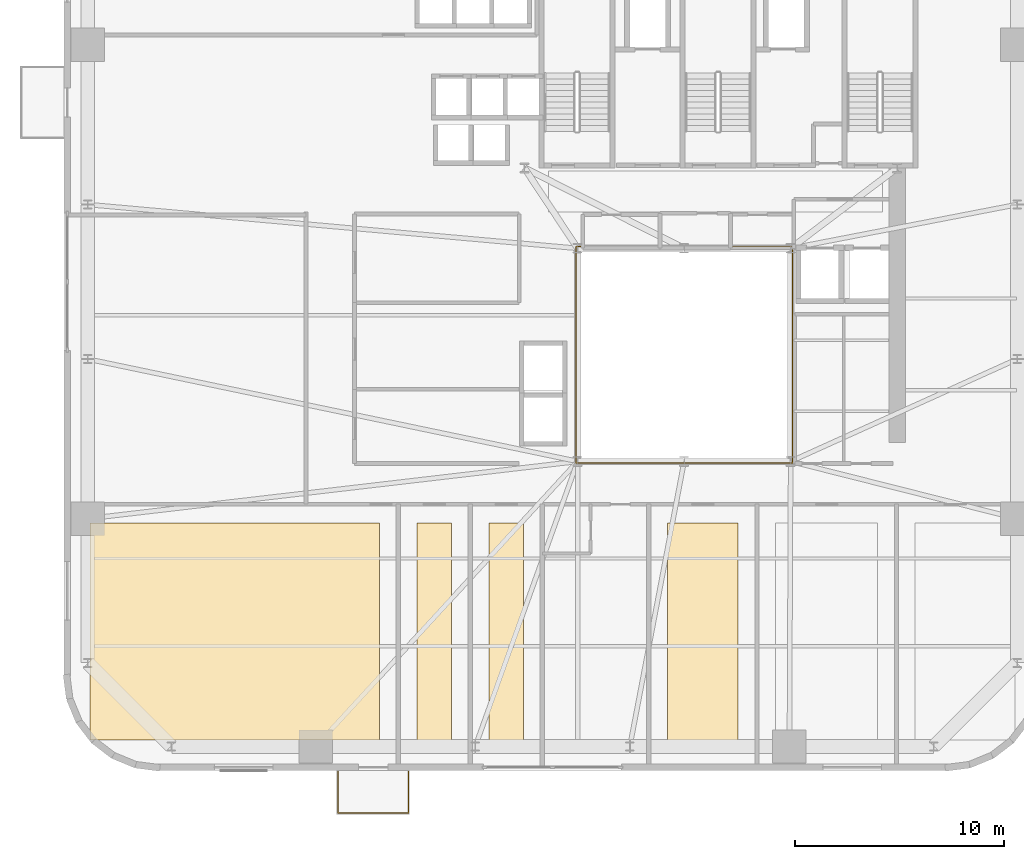
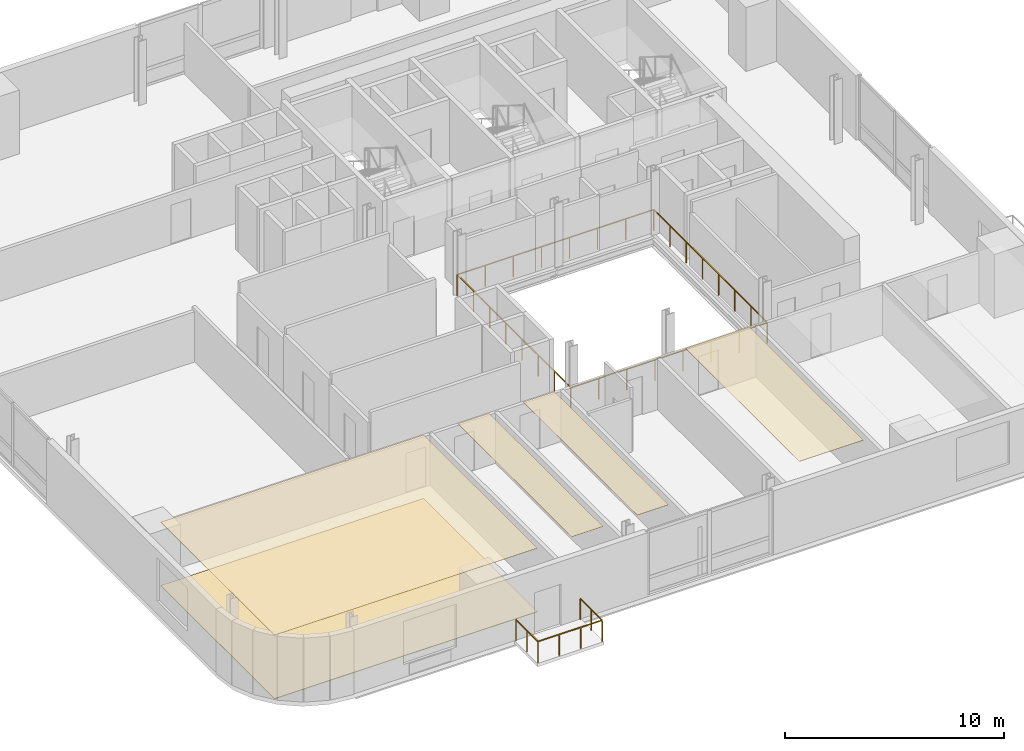
# One storey, part 10 of 14: 5 coverings, 2 railings.
"""IFC4 building model written with IfcOpenShell, lengths in metres."""

from ifc_helpers import new_model, si_unit, direction, frame, origin, origin_2d, place, context, subcontext, project, spatial, polyline, rectangle, outline, extrude, source, transform, mapped, material, layer, layer_set, type_object, element, save


model = new_model("IFC4")

# Units and contexts
model_context = context("Model", 3, precision=1e-05, world=origin(), true_north=direction((0.0, 1.0)))
body_context = subcontext(model_context, "Body", "Model", "MODEL_VIEW")
ifc_project = project(units=[si_unit("LENGTHUNIT", "METRE"), si_unit("AREAUNIT", "SQUARE_METRE"), si_unit("VOLUMEUNIT", "CUBIC_METRE"), si_unit("PLANEANGLEUNIT", "RADIAN"), si_unit("MASSUNIT", "GRAM", prefix="KILO")], contexts=[model_context])

# Site, building, storey
site_placement = place(None, origin())
site = spatial("IfcSite", under=ifc_project, at=site_placement, CompositionType="ELEMENT")
building_placement = place(site_placement, origin())
building = spatial("IfcBuilding", under=site, at=building_placement, Name="Vardaveli Station Tower", CompositionType="ELEMENT")
storey_placement = place(building_placement, frame((0.0, 0.0, 103.699951171875)))
storey = spatial("IfcBuildingStorey", under=building, at=storey_placement, Name="L26", CompositionType="ELEMENT", Elevation=103.699951171875)

# Coverings
ifc_material_1 = material(Name="Perforated acoustic mineral ceiling")
ifc_layer_1 = layer(ifc_material_1, 0.02001953125, Name="Perforated acoustic mineral ceiling")
ifc_layer_set_1 = layer_set([ifc_layer_1], Name="Perforated acoustic mineral ceiling")
covering_type_1 = type_object("IfcCoveringType", Name="COV-CEIL-AC20", PredefinedType="CEILING", material=ifc_layer_set_1)
covering_1_placement = place(storey_placement, frame((0.0, 0.0, 3.545166015625)))
element("IfcCovering", 1, at=covering_1_placement, inside=storey, type_object=covering_type_1, Name="CEIL-L26-1", PredefinedType="CEILING", context=body_context, shape_type="SweptSolid", body=[
    extrude(outline(polyline([(7.85009765625, 3.25), (21.71044921875, 3.25), (21.71044921875, 13.64990234375), (7.85009765625, 13.64990234375), (7.85009765625, 3.25)])), origin(), (0.0, 0.0, 1.0), 0.019775390625),
])
covering_2_placement = place(storey_placement, frame((0.0, 0.0, 3.545166015625)))
element("IfcCovering", 2, at=covering_2_placement, inside=storey, type_object=covering_type_1, Name="CEIL-L26-2", PredefinedType="CEILING", context=body_context, shape_type="SweptSolid", body=[
    extrude(outline(polyline([(23.510498046875, 3.25), (25.160400390625, 3.25), (25.160400390625, 13.64990234375), (23.510498046875, 13.64990234375), (23.510498046875, 3.25)])), origin(), (0.0, 0.0, 1.0), 0.019775390625),
])
covering_3_placement = place(storey_placement, frame((0.0, 0.0, 3.545166015625)))
element("IfcCovering", 3, at=covering_3_placement, inside=storey, type_object=covering_type_1, Name="CEIL-L26-3", PredefinedType="CEILING", context=body_context, shape_type="SweptSolid", body=[
    extrude(outline(polyline([(26.96044921875, 3.25), (28.6103515625, 3.25), (28.6103515625, 13.64990234375), (26.96044921875, 13.64990234375), (26.96044921875, 3.25)])), origin(), (0.0, 0.0, 1.0), 0.019775390625),
])
covering_4_placement = place(storey_placement, frame((0.0, 0.0, 3.545166015625)))
element("IfcCovering", 4, at=covering_4_placement, inside=storey, type_object=covering_type_1, Name="CEIL-L26-4", PredefinedType="CEILING", context=body_context, shape_type="SweptSolid", body=[
    extrude(outline(polyline([(35.506591796875, 3.25), (38.885498046875, 3.25), (38.885498046875, 13.64990234375), (35.506591796875, 13.64990234375), (35.506591796875, 3.25)])), origin(), (0.0, 0.0, 1.0), 0.019775390625),
])
ifc_material_2 = material(Name="Honed Caucasian basalt and travertine flooring", Category="masonry")
ifc_layer_2 = layer(ifc_material_2, 0.030029296875, Name="Honed Caucasian basalt and travertine flooring")
ifc_layer_set_2 = layer_set([ifc_layer_2], Name="Honed Caucasian basalt and travertine flooring")
covering_type_2 = type_object("IfcCoveringType", Name="COV-FLOOR-ST30", PredefinedType="FLOORING", material=ifc_layer_set_2)
covering_5_placement = place(storey_placement, origin())
element("IfcCovering", 5, at=covering_5_placement, inside=storey, type_object=covering_type_2, Name="FLR-L26-1", PredefinedType="FLOORING", context=body_context, shape_type="SweptSolid", body=[
    extrude(outline(polyline([(7.85009765625, 3.25), (21.71044921875, 3.25), (21.71044921875, 13.64990234375), (7.85009765625, 13.64990234375), (7.85009765625, 3.25)])), origin(), (0.0, 0.0, 1.0), 0.030029296875),
])

# Railings
ifc_material_3 = material(Name="Laminated glass and stainless steel balustrade", Category="steel")
railing_type = type_object("IfcRailingType", Name="RL-BAL-1200", PredefinedType="BALUSTRADE", material=ifc_material_3)
shared_shape_1 = source(origin(), body_context, "Body", "SweptSolid", [
    extrude(rectangle(XDim=0.048095703125, YDim=0.048095703125, at=origin_2d()), frame((0.0, 0.0, 1.17578125), z_axis=(0.0, -1.0, 0.0), x_axis=(1.0, 0.0, 0.0)), (0.0, 0.0, 1.0), 2.0),
    extrude(rectangle(XDim=0.048095703125, YDim=0.048095703125, at=origin_2d()), frame((0.0, -2.0, 1.17578125), z_axis=(1.0, 0.0, 0.0), x_axis=(0.0, 1.0, 0.0)), (0.0, 0.0, 1.0), 3.3798828125),
    extrude(rectangle(XDim=0.048095703125, YDim=0.048095703125, at=origin_2d()), frame((3.3798828125, -2.0, 1.17578125), z_axis=(0.0, 1.0, 0.0), x_axis=(-1.0, 0.0, 0.0)), (0.0, 0.0, 1.0), 2.0),
    extrude(rectangle(XDim=0.0419921875, YDim=0.0419921875, at=origin_2d()), origin(), (0.0, 0.0, 1.0), 1.15185546875),
    extrude(rectangle(XDim=0.0419921875, YDim=0.0419921875, at=origin_2d()), frame((0.0, -1.0, 0.0)), (0.0, 0.0, 1.0), 1.15185546875),
    extrude(rectangle(XDim=0.0419921875, YDim=0.0419921875, at=origin_2d()), frame((0.0, -2.0, 0.0)), (0.0, 0.0, 1.0), 1.15185546875),
    extrude(rectangle(XDim=0.0419921875, YDim=0.0419921875, at=origin_2d()), frame((1.126708984375, -2.0, 0.0)), (0.0, 0.0, 1.0), 1.15185546875),
    extrude(rectangle(XDim=0.0419921875, YDim=0.0419921875, at=origin_2d()), frame((2.253173828125, -2.0, 0.0)), (0.0, 0.0, 1.0), 1.15185546875),
    extrude(rectangle(XDim=0.0419921875, YDim=0.0419921875, at=origin_2d()), frame((3.3798828125, -2.0, 0.0)), (0.0, 0.0, 1.0), 1.15185546875),
    extrude(rectangle(XDim=0.0419921875, YDim=0.0419921875, at=origin_2d()), frame((3.3798828125, -1.0, 0.0)), (0.0, 0.0, 1.0), 1.15185546875),
    extrude(rectangle(XDim=0.0419921875, YDim=0.0419921875, at=origin_2d()), frame((3.3798828125, 0.0, 0.0)), (0.0, 0.0, 1.0), 1.15185546875),
])
railing_1_placement = place(storey_placement, frame((19.720458984375, 1.760009765625, 0.0)))
element("IfcRailing", 6, at=railing_1_placement, inside=storey, type_object=railing_type, Name="RL-LOG-L26-01", PredefinedType="BALUSTRADE", context=body_context, shape_type="MappedRepresentation", body=[
    mapped(shared_shape_1, transform((0.0, 0.0, 0.0), scale=1.0)),
])
shared_shape_2 = source(origin(), body_context, "Body", "SweptSolid", [
    extrude(rectangle(XDim=0.048095703125, YDim=0.048095703125, at=origin_2d()), frame((0.0, 0.0, 1.17578125), z_axis=(1.0, 0.0, 0.0), x_axis=(0.0, 1.0, 0.0)), (0.0, 0.0, 1.0), 10.35986328125),
    extrude(rectangle(XDim=0.048095703125, YDim=0.048095703125, at=origin_2d()), frame((10.35986328125, 0.0, 1.17578125), z_axis=(0.0, 1.0, 0.0), x_axis=(-1.0, 0.0, 0.0)), (0.0, 0.0, 1.0), 10.35986328125),
    extrude(rectangle(XDim=0.048095703125, YDim=0.048095703125, at=origin_2d()), frame((10.35986328125, 10.35986328125, 1.17578125), z_axis=(-1.0, 0.0, 0.0), x_axis=(0.0, -1.0, 0.0)), (0.0, 0.0, 1.0), 10.35986328125),
    extrude(rectangle(XDim=0.048095703125, YDim=0.048095703125, at=origin_2d()), frame((0.0, 10.35986328125, 1.17578125), z_axis=(0.0, -1.0, 0.0), x_axis=(1.0, 0.0, 0.0)), (0.0, 0.0, 1.0), 10.35986328125),
    extrude(rectangle(XDim=0.0419921875, YDim=0.0419921875, at=origin_2d()), origin(), (0.0, 0.0, 1.0), 1.15185546875),
    extrude(rectangle(XDim=0.0419921875, YDim=0.0419921875, at=origin_2d()), frame((1.47998046875, 0.0, 0.0)), (0.0, 0.0, 1.0), 1.15185546875),
    extrude(rectangle(XDim=0.0419921875, YDim=0.0419921875, at=origin_2d()), frame((2.9599609375, 0.0, 0.0)), (0.0, 0.0, 1.0), 1.15185546875),
    extrude(rectangle(XDim=0.0419921875, YDim=0.0419921875, at=origin_2d()), frame((4.43994140625, 0.0, 0.0)), (0.0, 0.0, 1.0), 1.15185546875),
    extrude(rectangle(XDim=0.0419921875, YDim=0.0419921875, at=origin_2d()), frame((5.919921875, 0.0, 0.0)), (0.0, 0.0, 1.0), 1.15185546875),
    extrude(rectangle(XDim=0.0419921875, YDim=0.0419921875, at=origin_2d()), frame((7.39990234375, 0.0, 0.0)), (0.0, 0.0, 1.0), 1.15185546875),
    extrude(rectangle(XDim=0.0419921875, YDim=0.0419921875, at=origin_2d()), frame((8.8798828125, 0.0, 0.0)), (0.0, 0.0, 1.0), 1.15185546875),
    extrude(rectangle(XDim=0.0419921875, YDim=0.0419921875, at=origin_2d()), frame((10.35986328125, 0.0, 0.0)), (0.0, 0.0, 1.0), 1.15185546875),
    extrude(rectangle(XDim=0.0419921875, YDim=0.0419921875, at=origin_2d()), frame((10.35986328125, 1.47998046875, 0.0)), (0.0, 0.0, 1.0), 1.15185546875),
    extrude(rectangle(XDim=0.0419921875, YDim=0.0419921875, at=origin_2d()), frame((10.35986328125, 2.9599609375, 0.0)), (0.0, 0.0, 1.0), 1.15185546875),
    extrude(rectangle(XDim=0.0419921875, YDim=0.0419921875, at=origin_2d()), frame((10.35986328125, 4.43994140625, 0.0)), (0.0, 0.0, 1.0), 1.15185546875),
    extrude(rectangle(XDim=0.0419921875, YDim=0.0419921875, at=origin_2d()), frame((10.35986328125, 5.919921875, 0.0)), (0.0, 0.0, 1.0), 1.15185546875),
    extrude(rectangle(XDim=0.0419921875, YDim=0.0419921875, at=origin_2d()), frame((10.35986328125, 7.39990234375, 0.0)), (0.0, 0.0, 1.0), 1.15185546875),
    extrude(rectangle(XDim=0.0419921875, YDim=0.0419921875, at=origin_2d()), frame((10.35986328125, 8.8798828125, 0.0)), (0.0, 0.0, 1.0), 1.15185546875),
    extrude(rectangle(XDim=0.0419921875, YDim=0.0419921875, at=origin_2d()), frame((10.35986328125, 10.35986328125, 0.0)), (0.0, 0.0, 1.0), 1.15185546875),
    extrude(rectangle(XDim=0.0419921875, YDim=0.0419921875, at=origin_2d()), frame((8.8798828125, 10.35986328125, 0.0)), (0.0, 0.0, 1.0), 1.15185546875),
    extrude(rectangle(XDim=0.0419921875, YDim=0.0419921875, at=origin_2d()), frame((7.39990234375, 10.35986328125, 0.0)), (0.0, 0.0, 1.0), 1.15185546875),
    extrude(rectangle(XDim=0.0419921875, YDim=0.0419921875, at=origin_2d()), frame((5.919921875, 10.35986328125, 0.0)), (0.0, 0.0, 1.0), 1.15185546875),
    extrude(rectangle(XDim=0.0419921875, YDim=0.0419921875, at=origin_2d()), frame((4.43994140625, 10.35986328125, 0.0)), (0.0, 0.0, 1.0), 1.15185546875),
    extrude(rectangle(XDim=0.0419921875, YDim=0.0419921875, at=origin_2d()), frame((2.9599609375, 10.35986328125, 0.0)), (0.0, 0.0, 1.0), 1.15185546875),
    extrude(rectangle(XDim=0.0419921875, YDim=0.0419921875, at=origin_2d()), frame((1.47998046875, 10.35986328125, 0.0)), (0.0, 0.0, 1.0), 1.15185546875),
    extrude(rectangle(XDim=0.0419921875, YDim=0.0419921875, at=origin_2d()), frame((0.0, 10.35986328125, 0.0)), (0.0, 0.0, 1.0), 1.15185546875),
    extrude(rectangle(XDim=0.0419921875, YDim=0.0419921875, at=origin_2d()), frame((0.0, 8.8798828125, 0.0)), (0.0, 0.0, 1.0), 1.15185546875),
    extrude(rectangle(XDim=0.0419921875, YDim=0.0419921875, at=origin_2d()), frame((0.0, 7.39990234375, 0.0)), (0.0, 0.0, 1.0), 1.15185546875),
    extrude(rectangle(XDim=0.0419921875, YDim=0.0419921875, at=origin_2d()), frame((0.0, 5.919921875, 0.0)), (0.0, 0.0, 1.0), 1.15185546875),
    extrude(rectangle(XDim=0.0419921875, YDim=0.0419921875, at=origin_2d()), frame((0.0, 4.43994140625, 0.0)), (0.0, 0.0, 1.0), 1.15185546875),
    extrude(rectangle(XDim=0.0419921875, YDim=0.0419921875, at=origin_2d()), frame((0.0, 2.9599609375, 0.0)), (0.0, 0.0, 1.0), 1.15185546875),
    extrude(rectangle(XDim=0.0419921875, YDim=0.0419921875, at=origin_2d()), frame((0.0, 1.47998046875, 0.0)), (0.0, 0.0, 1.0), 1.15185546875),
])
railing_2_placement = place(storey_placement, frame((31.1201171875, 16.52001953125, 0.0)))
element("IfcRailing", 7, at=railing_2_placement, inside=storey, type_object=railing_type, Name="RL-ATR-L26", PredefinedType="BALUSTRADE", context=body_context, shape_type="MappedRepresentation", body=[
    mapped(shared_shape_2, transform((0.0, 0.0, 0.0), scale=1.0)),
])

save(model, "model.ifc")
